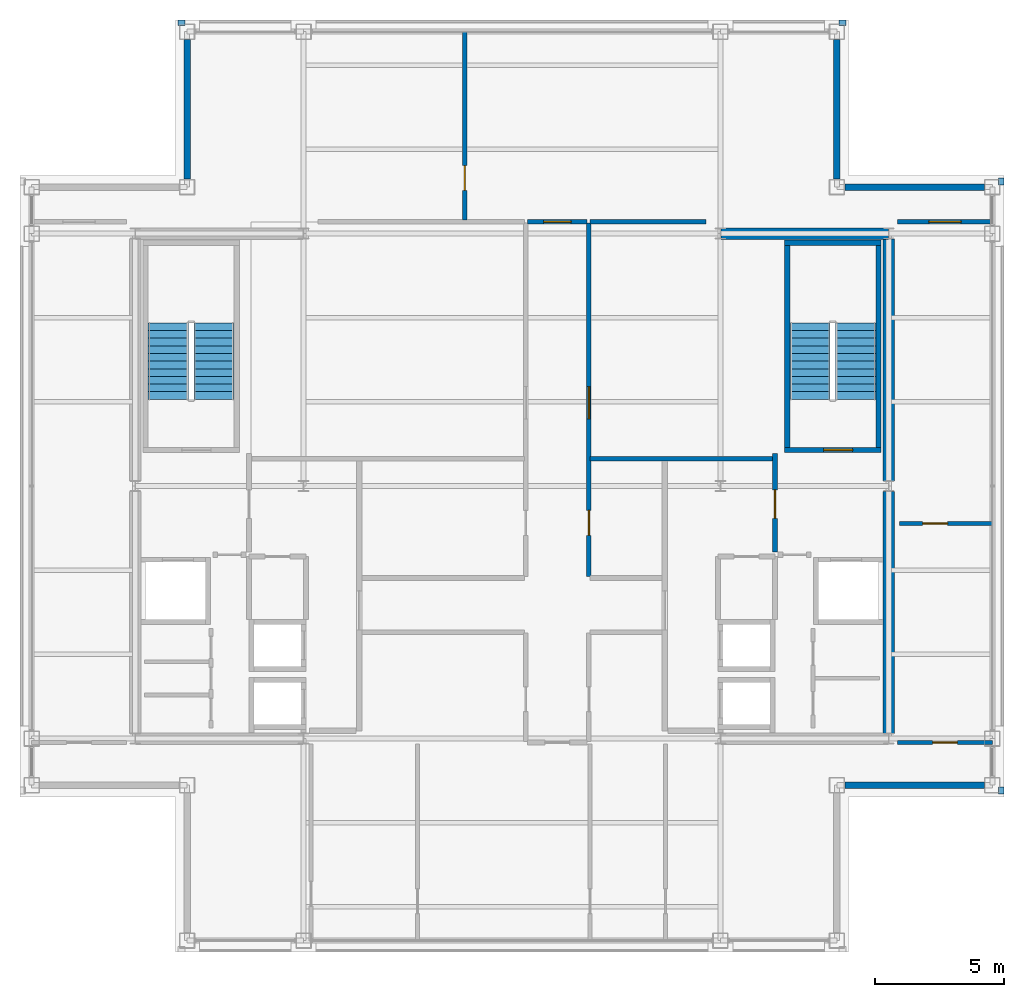
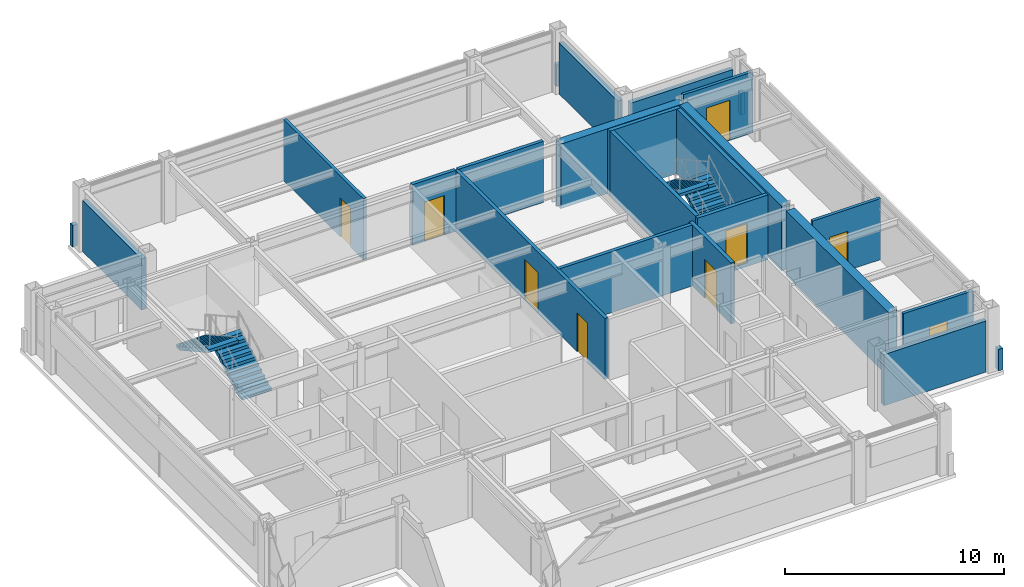
# One storey, part 19 of 20: 24 walls, 9 doors, 4 stair flights, 9 openings, 2 elements without a shape of their own.
"""IFC4 building model written with IfcOpenShell, lengths in metres."""

from ifc_helpers import new_model, si_unit, direction, frame, frame_2d, origin, place, context, subcontext, project, spatial, polyline, rectangle, outline, extrude, material, layer, layer_set, type_object, element, fill, aggregate, save


model = new_model("IFC4")

# Units and contexts
model_context = context("Model", 3, precision=1e-05, world=origin(), true_north=direction((0.0, 1.0)))
body_context = subcontext(model_context, "Body", "Model", "MODEL_VIEW")
ifc_project = project(units=[si_unit("LENGTHUNIT", "METRE"), si_unit("AREAUNIT", "SQUARE_METRE"), si_unit("VOLUMEUNIT", "CUBIC_METRE"), si_unit("PLANEANGLEUNIT", "RADIAN"), si_unit("MASSUNIT", "GRAM", prefix="KILO")], contexts=[model_context])

# Site, building, storey
site_placement = place(None, origin())
site = spatial("IfcSite", under=ifc_project, at=site_placement, CompositionType="ELEMENT")
building_placement = place(site_placement, origin())
building = spatial("IfcBuilding", under=site, at=building_placement, Name="Brelmoor Portico Tower", CompositionType="ELEMENT")
storey_placement = place(building_placement, frame((0.0, 0.0, 272.39990234375)))
storey = spatial("IfcBuildingStorey", under=building, at=storey_placement, Name="L72", CompositionType="ELEMENT", Elevation=272.39990234375)

# Walls
ifc_material_1 = material(Name="Concrete C50", Category="concrete")
ifc_layer_1 = layer(ifc_material_1, 0.449951171875)
ifc_layer_set_1 = layer_set([ifc_layer_1], Name="Concrete C50")
wall_type_1 = type_object("IfcWallType", Name="WL-CORE-450", PredefinedType="SHEAR", material=ifc_layer_set_1)
wall_1_placement = place(storey_placement, frame((8.070068359375, 9.75, -0.199951171875), z_axis=(0.0, 0.0, 1.0), x_axis=(1.0, 0.0, 0.0)))
element("IfcWall", 1, at=wall_1_placement, inside=storey, type_object=wall_type_1, Name="L72 EC North Shear Wall", PredefinedType="SHEAR", context=body_context, shape_type="SweptSolid", body=[
    extrude(rectangle(XDim=6.4599609375, YDim=0.449951171875, at=frame_2d((3.22998046875, 0.0))), origin(), (0.0, 0.0, 1.0), 3.60009765625),
])
for number, where, z_axis, x_axis, name in (
    (2, (14.550048828125, -9.550048828125, -0.199951171875), (0.0, 0.0, 1.0), (0.0, 1.0, 0.0), "L72 EC Outer South Shear Wall"),
    (3, (14.550048828125, 0.199951171875, -0.199951171875), (0.0, 0.0, 1.0), (0.0, 1.0, 0.0), "L72 EC Outer North Shear Wall"),
):
    element("IfcWall", number, at=place(storey_placement, frame(where, z_axis=z_axis, x_axis=x_axis)), inside=storey, type_object=wall_type_1, Name=name, PredefinedType="SHEAR", context=body_context, shape_type="SweptSolid", body=[
        extrude(rectangle(XDim=9.35009765625, YDim=0.449951171875, at=frame_2d((4.675048828125, 0.0))), origin(), (0.0, 0.0, 1.0), 3.60009765625),
    ])
ifc_material_2 = material(Name="Precast Concrete C40 Insulated Facade Wall", Category="concrete")
ifc_layer_2 = layer(ifc_material_2, 0.25)
ifc_layer_set_2 = layer_set([ifc_layer_2], Name="Precast Concrete C40 Insulated Facade Wall")
wall_type_2 = type_object("IfcWallType", Name="WL-EXT-250", PredefinedType="STANDARD", material=ifc_layer_set_2)
for number, where, z_axis, x_axis, name in (
    (4, (12.860107421875, -11.550048828125, 0.0), (0.0, 0.0, 1.0), (1.0, 0.0, 0.0), "L72 Corner Notch Facade Wall NSEH1"),
    (5, (-12.550048828125, 11.860107421875, 0.0), (0.0, 0.0, 1.0), (0.0, 1.0, 0.0), "L72 Corner Notch Facade Wall NNWV1"),
    (6, (12.860107421875, 11.550048828125, 0.0), (0.0, 0.0, 1.0), (1.0, 0.0, 0.0), "L72 Corner Notch Facade Wall NNEH1"),
    (7, (12.550048828125, 11.860107421875, 0.0), (0.0, 0.0, 1.0), (0.0, 1.0, 0.0), "L72 Corner Notch Facade Wall NNEV1"),
):
    element("IfcWall", number, at=place(storey_placement, frame(where, z_axis=z_axis, x_axis=x_axis)), inside=storey, type_object=wall_type_2, Name=name, PredefinedType="STANDARD", context=body_context, shape_type="SweptSolid", body=[
        extrude(rectangle(XDim=5.3798828125, YDim=0.25, at=frame_2d((2.68994140625, 0.0))), origin(), (0.0, 0.0, 1.0), 2.85009765625),
    ])
ifc_material_3 = material(Name="Concrete C40 Parapet Upstand", Category="concrete")
ifc_layer_3 = layer(ifc_material_3, 0.219970703125)
ifc_layer_set_3 = layer_set([ifc_layer_3], Name="Concrete C40 Parapet Upstand")
wall_type_3 = type_object("IfcWallType", Name="WL-PARAPET-220", PredefinedType="PARAPET", material=ifc_layer_set_3)
for number, where, z_axis, x_axis, name in (
    (8, (18.889892578125, -11.889892578125, 0.0), (0.0, 0.0, 1.0), (0.0, 1.0, 0.0), "L72 Chamfer Vertex Parapet Pier SE2"),
    (9, (-12.889892578125, 17.889892578125, 0.0), (0.0, 0.0, 1.0), (1.0, 0.0, 0.0), "L72 Chamfer Vertex Parapet Pier NW1"),
    (10, (12.6201171875, 17.889892578125, 0.0), (0.0, 0.0, 1.0), (1.0, 0.0, 0.0), "L72 Chamfer Vertex Parapet Pier NE1"),
    (11, (18.889892578125, 11.6201171875, 0.0), (0.0, 0.0, 1.0), (0.0, 1.0, 0.0), "L72 Chamfer Vertex Parapet Pier NE2"),
):
    element("IfcWall", number, at=place(storey_placement, frame(where, z_axis=z_axis, x_axis=x_axis)), inside=storey, type_object=wall_type_3, Name=name, PredefinedType="PARAPET", context=body_context, shape_type="SweptSolid", body=[
        extrude(rectangle(XDim=0.269775390625, YDim=0.219970703125, at=frame_2d((0.134765625, 0.0))), origin(), (0.0, 0.0, 1.0), 1.2001953125),
    ])

# Wall, opening, door
ifc_material_4 = material(Name="Twin-Frame Acoustic Partition", Category="gypsum")
ifc_layer_4 = layer(ifc_material_4, 0.159912109375)
ifc_layer_set_4 = layer_set([ifc_layer_4], Name="Twin-Frame Acoustic Partition")
wall_type_4 = type_object("IfcWallType", Name="WL-PART-160", PredefinedType="PARTITIONING", material=ifc_layer_set_4)
wall_2_placement = place(storey_placement, frame((-1.82568359375, 10.27001953125, 0.0), z_axis=(0.0, 0.0, 1.0), x_axis=(0.0, 1.0, 0.0)))
wall_2 = element("IfcWall", 12, at=wall_2_placement, inside=storey, type_object=wall_type_4, Name="L72 North Suite Partition 1", PredefinedType="PARTITIONING", context=body_context, shape_type="SweptSolid", body=[
    extrude(rectangle(XDim=7.2900390625, YDim=0.159912109375, at=frame_2d((3.64501953125, 0.0))), origin(), (0.0, 0.0, 1.0), 3.400146484375),
])
opening_1_placement = place(wall_2_placement, frame((1.14990234375, 0.0, 0.0)))
opening_1 = element("IfcOpeningElement", 13, at=opening_1_placement, cuts=wall_2, Name="Opening D-IN2", PredefinedType="OPENING", context=body_context, shape_type="SweptSolid", body=[
    extrude(rectangle(XDim=0.9599609375, YDim=2.179931640625, at=frame_2d((0.47998046875, 1.08984375))), frame((0.0, 0.08984375, 0.0), z_axis=(0.0, -1.0, 0.0), x_axis=(1.0, 0.0, 0.0)), (0.0, 0.0, 1.0), 0.179931640625),
])
ifc_material_5 = material(Name="Lacquered Timber Suite Door", Category="wood")
door_type_1 = type_object("IfcDoorType", Name="DR-INT-950", OperationType="NOTDEFINED", PredefinedType="DOOR", material=ifc_material_5)
door_1_placement = place(opening_1_placement, origin())
door_1 = element("IfcDoor", 14, at=door_1_placement, inside=storey, type_object=door_type_1, Name="D-2958 L72 North Suite Connecting Door 1", OperationType="SINGLE_SWING_RIGHT", OverallHeight=2.179931640625, OverallWidth=0.9599609375, PredefinedType="DOOR", context=body_context, shape_type="SweptSolid", body=[
    extrude(rectangle(XDim=0.9599609375, YDim=2.179931640625, at=frame_2d((0.47998046875, 1.08984375))), frame((0.0, 0.02490234375, 0.0), z_axis=(0.0, -1.0, 0.0), x_axis=(1.0, 0.0, 0.0)), (0.0, 0.0, 1.0), 0.050048828125),
])
fill(opening_1, door_1)

wall_3_placement = place(storey_placement, frame((14.8798828125, 10.2099609375, 0.0), z_axis=(0.0, 0.0, 1.0), x_axis=(1.0, 0.0, 0.0)))
wall_3 = element("IfcWall", 15, at=wall_3_placement, inside=storey, type_object=wall_type_4, Name="L72 North Wing Suite Wall ER", PredefinedType="PARTITIONING", context=body_context, shape_type="SweptSolid", body=[
    extrude(rectangle(XDim=3.68017578125, YDim=0.159912109375, at=frame_2d((1.840087890625, 0.0))), origin(), (0.0, 0.0, 1.0), 3.400146484375),
])
opening_2_placement = place(wall_3_placement, frame((1.219970703125, 0.0, 0.0)))
opening_2 = element("IfcOpeningElement", 16, at=opening_2_placement, cuts=wall_3, Name="Opening D-SU1", PredefinedType="OPENING", context=body_context, shape_type="SweptSolid", body=[
    extrude(rectangle(XDim=1.239990234375, YDim=2.239990234375, at=frame_2d((0.6201171875, 1.1201171875))), frame((0.0, 0.08984375, 0.0), z_axis=(0.0, -1.0, 0.0), x_axis=(1.0, 0.0, 0.0)), (0.0, 0.0, 1.0), 0.179931640625),
])
ifc_material_6 = material(Name="Glazed Timber Executive Suite Door", Category="wood")
door_type_2 = type_object("IfcDoorType", Name="DR-SUITE-1200", OperationType="NOTDEFINED", PredefinedType="DOOR", material=ifc_material_6)
door_2_placement = place(opening_2_placement, origin())
door_2 = element("IfcDoor", 17, at=door_2_placement, inside=storey, type_object=door_type_2, Name="D-2959 L72 ER Wing Suite Connecting Door", OperationType="SINGLE_SWING_LEFT", OverallHeight=2.239990234375, OverallWidth=1.239990234375, PredefinedType="DOOR", context=body_context, shape_type="SweptSolid", body=[
    extrude(rectangle(XDim=1.239990234375, YDim=2.239990234375, at=frame_2d((0.6201171875, 1.1201171875))), frame((0.0, 0.02490234375, 0.0), z_axis=(0.0, -1.0, 0.0), x_axis=(1.0, 0.0, 0.0)), (0.0, 0.0, 1.0), 0.050048828125),
])
fill(opening_2, door_2)

wall_4_placement = place(storey_placement, frame((14.8798828125, -9.89990234375, 0.0), z_axis=(0.0, 0.0, 1.0), x_axis=(1.0, 0.0, 0.0)))
wall_4 = element("IfcWall", 18, at=wall_4_placement, inside=storey, type_object=wall_type_4, Name="L72 South Wing Closure ER", PredefinedType="PARTITIONING", context=body_context, shape_type="SweptSolid", body=[
    extrude(rectangle(XDim=3.68017578125, YDim=0.159912109375, at=frame_2d((1.840087890625, 0.0))), origin(), (0.0, 0.0, 1.0), 3.400146484375),
])
opening_3_placement = place(wall_4_placement, frame((1.360107421875, 0.0, 0.0)))
opening_3 = element("IfcOpeningElement", 19, at=opening_3_placement, cuts=wall_4, Name="Opening D-IN2", PredefinedType="OPENING", context=body_context, shape_type="SweptSolid", body=[
    extrude(rectangle(XDim=0.9599609375, YDim=2.179931640625, at=frame_2d((0.47998046875, 1.08984375))), frame((0.0, 0.08984375, 0.0), z_axis=(0.0, -1.0, 0.0), x_axis=(1.0, 0.0, 0.0)), (0.0, 0.0, 1.0), 0.179931640625),
])
door_3_placement = place(opening_3_placement, origin())
door_3 = element("IfcDoor", 20, at=door_3_placement, inside=storey, type_object=door_type_1, Name="D-2968 L72 ER Wing South Suite Door", OperationType="SINGLE_SWING_RIGHT", OverallHeight=2.179931640625, OverallWidth=0.9599609375, PredefinedType="DOOR", context=body_context, shape_type="SweptSolid", body=[
    extrude(rectangle(XDim=0.9599609375, YDim=2.179931640625, at=frame_2d((0.47998046875, 1.08984375))), frame((0.0, 0.02490234375, 0.0), z_axis=(0.0, -1.0, 0.0), x_axis=(1.0, 0.0, 0.0)), (0.0, 0.0, 1.0), 0.050048828125),
])
fill(opening_3, door_3)

wall_5_placement = place(storey_placement, frame((14.9599609375, -1.44091796875, 0.0), z_axis=(0.0, 0.0, 1.0), x_axis=(1.0, 0.0, 0.0)))
wall_5 = element("IfcWall", 21, at=wall_5_placement, inside=storey, type_object=wall_type_4, Name="L72 E Wing Partition 1", PredefinedType="PARTITIONING", context=body_context, shape_type="SweptSolid", body=[
    extrude(rectangle(XDim=3.60009765625, YDim=0.159912109375, at=frame_2d((1.800048828125, 0.0))), origin(), (0.0, 0.0, 1.0), 3.400146484375),
])
opening_4_placement = place(wall_5_placement, frame((0.89990234375, 0.0, 0.0)))
opening_4 = element("IfcOpeningElement", 22, at=opening_4_placement, cuts=wall_5, Name="Opening D-IN2", PredefinedType="OPENING", context=body_context, shape_type="SweptSolid", body=[
    extrude(rectangle(XDim=0.9599609375, YDim=2.179931640625, at=frame_2d((0.47998046875, 1.08984375))), frame((0.0, 0.08984375, 0.0), z_axis=(0.0, -1.0, 0.0), x_axis=(1.0, 0.0, 0.0)), (0.0, 0.0, 1.0), 0.179931640625),
])
door_4_placement = place(opening_4_placement, origin())
door_4 = element("IfcDoor", 23, at=door_4_placement, inside=storey, type_object=door_type_1, Name="D-2970 L72 E Wing Suite Connecting Door 1", OperationType="SINGLE_SWING_LEFT", OverallHeight=2.179931640625, OverallWidth=0.9599609375, PredefinedType="DOOR", context=body_context, shape_type="SweptSolid", body=[
    extrude(rectangle(XDim=0.9599609375, YDim=2.179931640625, at=frame_2d((0.47998046875, 1.08984375))), frame((0.0, 0.02490234375, 0.0), z_axis=(0.0, -1.0, 0.0), x_axis=(1.0, 0.0, 0.0)), (0.0, 0.0, 1.0), 0.050048828125),
])
fill(opening_4, door_4)

# Wall
ifc_material_7 = material(Name="Acoustic Corridor Fire Partition", Category="gypsum")
ifc_layer_5 = layer(ifc_material_7, 0.179931640625)
ifc_layer_set_5 = layer_set([ifc_layer_5], Name="Acoustic Corridor Fire Partition")
wall_type_5 = type_object("IfcWallType", Name="WL-PART-180", PredefinedType="PARTITIONING", material=ifc_layer_set_5)
wall_6_placement = place(storey_placement, frame((3.010009765625, 1.050048828125, 0.0), z_axis=(0.0, 0.0, 1.0), x_axis=(1.0, 0.0, 0.0)))
element("IfcWall", 24, at=wall_6_placement, inside=storey, type_object=wall_type_5, Name="L72 East Suite South Wall", PredefinedType="PARTITIONING", context=body_context, shape_type="SweptSolid", body=[
    extrude(rectangle(XDim=7.050048828125, YDim=0.179931640625, at=frame_2d((3.52490234375, 0.0))), origin(), (0.0, 0.0, 1.0), 3.400146484375),
])

# Wall, openings, doors
wall_7_placement = place(storey_placement, frame((2.969970703125, -3.5, 0.0), z_axis=(0.0, 0.0, 1.0), x_axis=(0.0, 1.0, 0.0)))
wall_7 = element("IfcWall", 25, at=wall_7_placement, inside=storey, type_object=wall_type_5, Name="L72 Central Cross East Wall", PredefinedType="PARTITIONING", context=body_context, shape_type="SweptSolid", body=[
    extrude(rectangle(XDim=13.669921875, YDim=0.179931640625, at=frame_2d((6.8349609375, 0.0))), origin(), (0.0, 0.0, 1.0), 3.400146484375),
])
opening_5_placement = place(wall_7_placement, frame((6.10009765625, 0.0, 0.0)))
opening_5 = element("IfcOpeningElement", 26, at=opening_5_placement, cuts=wall_7, Name="Opening D-SU1", PredefinedType="OPENING", context=body_context, shape_type="SweptSolid", body=[
    extrude(rectangle(XDim=1.239990234375, YDim=2.239990234375, at=frame_2d((0.6201171875, 1.1201171875))), frame((0.0, 0.099853515625, 0.0), z_axis=(0.0, -1.0, 0.0), x_axis=(1.0, 0.0, 0.0)), (0.0, 0.0, 1.0), 0.199951171875),
])
opening_6_placement = place(wall_7_placement, frame((1.60009765625, 0.0, 0.0)))
opening_6 = element("IfcOpeningElement", 27, at=opening_6_placement, cuts=wall_7, Name="Opening D-IN2", PredefinedType="OPENING", context=body_context, shape_type="SweptSolid", body=[
    extrude(rectangle(XDim=0.9599609375, YDim=2.179931640625, at=frame_2d((0.47998046875, 1.08984375))), frame((0.0, 0.099853515625, 0.0), z_axis=(0.0, -1.0, 0.0), x_axis=(1.0, 0.0, 0.0)), (0.0, 0.0, 1.0), 0.199951171875),
])
door_5_placement = place(opening_6_placement, origin())
door_5 = element("IfcDoor", 28, at=door_5_placement, inside=storey, type_object=door_type_1, Name="D-2938 L72 Client Project Office Door", OperationType="SINGLE_SWING_LEFT", OverallHeight=2.179931640625, OverallWidth=0.9599609375, PredefinedType="DOOR", context=body_context, shape_type="SweptSolid", body=[
    extrude(rectangle(XDim=0.9599609375, YDim=2.179931640625, at=frame_2d((0.47998046875, 1.08984375))), frame((0.0, 0.02490234375, 0.0), z_axis=(0.0, -1.0, 0.0), x_axis=(1.0, 0.0, 0.0)), (0.0, 0.0, 1.0), 0.050048828125),
])
fill(opening_6, door_5)
door_6_placement = place(opening_5_placement, origin())
door_6 = element("IfcDoor", 29, at=door_6_placement, inside=storey, type_object=door_type_2, Name="D-2939 L72 East Reclaimed Studio Door", OperationType="SINGLE_SWING_RIGHT", OverallHeight=2.239990234375, OverallWidth=1.239990234375, PredefinedType="DOOR", context=body_context, shape_type="SweptSolid", body=[
    extrude(rectangle(XDim=1.239990234375, YDim=2.239990234375, at=frame_2d((0.6201171875, 1.1201171875))), frame((0.0, 0.02490234375, 0.0), z_axis=(0.0, -1.0, 0.0), x_axis=(1.0, 0.0, 0.0)), (0.0, 0.0, 1.0), 0.050048828125),
])
fill(opening_5, door_6)

# Wall
wall_8_placement = place(storey_placement, frame((3.010009765625, 10.2099609375, 0.0), z_axis=(0.0, 0.0, 1.0), x_axis=(1.0, 0.0, 0.0)))
element("IfcWall", 30, at=wall_8_placement, inside=storey, type_object=wall_type_5, Name="L72 East Suite North Wall", PredefinedType="PARTITIONING", context=body_context, shape_type="SweptSolid", body=[
    extrude(rectangle(XDim=4.489990234375, YDim=0.179931640625, at=frame_2d((2.2451171875, 0.0))), origin(), (0.0, 0.0, 1.0), 3.400146484375),
])

# Wall, opening, door
wall_9_placement = place(storey_placement, frame((0.60009765625, 10.2099609375, 0.0), z_axis=(0.0, 0.0, 1.0), x_axis=(1.0, 0.0, 0.0)))
wall_9 = element("IfcWall", 31, at=wall_9_placement, inside=storey, type_object=wall_type_5, Name="L72 North Corridor Partition", PredefinedType="PARTITIONING", context=body_context, shape_type="SweptSolid", body=[
    extrude(rectangle(XDim=2.2998046875, YDim=0.179931640625, at=frame_2d((1.14990234375, 0.0))), origin(), (0.0, 0.0, 1.0), 3.400146484375),
])
opening_7_placement = place(wall_9_placement, frame((0.6201171875, 0.0, 0.0)))
opening_7 = element("IfcOpeningElement", 32, at=opening_7_placement, cuts=wall_9, Name="Opening D-OF2", PredefinedType="OPENING", context=body_context, shape_type="SweptSolid", body=[
    extrude(rectangle(XDim=1.06005859375, YDim=2.199951171875, at=frame_2d((0.530029296875, 1.10009765625))), frame((0.0, 0.099853515625, 0.0), z_axis=(0.0, -1.0, 0.0), x_axis=(1.0, 0.0, 0.0)), (0.0, 0.0, 1.0), 0.199951171875),
])
ifc_material_8 = material(Name="Hardwood Acoustic Veneer Door", Category="wood")
door_type_3 = type_object("IfcDoorType", Name="DR-OFFICE-1050", OperationType="NOTDEFINED", PredefinedType="DOOR", material=ifc_material_8)
door_7_placement = place(opening_7_placement, origin())
door_7 = element("IfcDoor", 33, at=door_7_placement, inside=storey, type_object=door_type_3, Name="D-2957 L72 North Wellness Counseling Room 2 Door", OperationType="SINGLE_SWING_LEFT", OverallHeight=2.199951171875, OverallWidth=1.06005859375, PredefinedType="DOOR", context=body_context, shape_type="SweptSolid", body=[
    extrude(rectangle(XDim=1.06005859375, YDim=2.199951171875, at=frame_2d((0.530029296875, 1.10009765625))), frame((0.0, 0.02490234375, 0.0), z_axis=(0.0, -1.0, 0.0), x_axis=(1.0, 0.0, 0.0)), (0.0, 0.0, 1.0), 0.050048828125),
])
fill(opening_7, door_7)

ifc_material_9 = material(Name="Double-Stud Gypsum Fire Partition", Category="gypsum")
ifc_layer_6 = layer(ifc_material_9, 0.199951171875)
ifc_layer_set_6 = layer_set([ifc_layer_6], Name="Double-Stud Gypsum Fire Partition")
wall_type_6 = type_object("IfcWallType", Name="WL-PART-200", PredefinedType="PARTITIONING", material=ifc_layer_set_6)
wall_10_placement = place(storey_placement, frame((10.159912109375, -2.550048828125, 0.0), z_axis=(0.0, 0.0, 1.0), x_axis=(0.0, 1.0, 0.0)))
wall_10 = element("IfcWall", 34, at=wall_10_placement, inside=storey, type_object=wall_type_6, Name="L72 E Firefighting Lobby Wall", PredefinedType="PARTITIONING", context=body_context, shape_type="SweptSolid", body=[
    extrude(rectangle(XDim=3.800048828125, YDim=0.199951171875, at=frame_2d((1.89990234375, 0.0))), origin(), (0.0, 0.0, 1.0), 3.400146484375),
])
opening_8_placement = place(wall_10_placement, frame((1.300048828125, 0.0, 0.0)))
opening_8 = element("IfcOpeningElement", 35, at=opening_8_placement, cuts=wall_10, Name="Opening D-FR1", PredefinedType="OPENING", context=body_context, shape_type="SweptSolid", body=[
    extrude(rectangle(XDim=1.10009765625, YDim=2.14990234375, at=frame_2d((0.550048828125, 1.074951171875))), frame((0.0, 0.10986328125, 0.0), z_axis=(0.0, -1.0, 0.0), x_axis=(1.0, 0.0, 0.0)), (0.0, 0.0, 1.0), 0.219970703125),
])
ifc_material_10 = material(Name="Painted Galvanised Steel Fire Door", Category="steel")
door_type_4 = type_object("IfcDoorType", Name="DR-FIRE-1100", OperationType="NOTDEFINED", PredefinedType="DOOR", material=ifc_material_10)
door_8_placement = place(opening_8_placement, origin())
door_8 = element("IfcDoor", 36, at=door_8_placement, inside=storey, type_object=door_type_4, Name="D-2953 L72 E Firefighting Lobby Door", OperationType="SINGLE_SWING_LEFT", OverallHeight=2.14990234375, OverallWidth=1.10009765625, PredefinedType="DOOR", context=body_context, shape_type="SweptSolid", body=[
    extrude(rectangle(XDim=1.10009765625, YDim=2.14990234375, at=frame_2d((0.550048828125, 1.074951171875))), frame((0.0, 0.02490234375, 0.0), z_axis=(0.0, -1.0, 0.0), x_axis=(1.0, 0.0, 0.0)), (0.0, 0.0, 1.0), 0.050048828125),
])
fill(opening_8, door_8)

# Wall
ifc_material_11 = material(Name="Concrete C40", Category="concrete")
ifc_layer_7 = layer(ifc_material_11, 0.199951171875)
ifc_layer_set_7 = layer_set([ifc_layer_7], Name="Concrete C40")
wall_type_7 = type_object("IfcWallType", Name="WL-SHAFT-RC200", PredefinedType="SOLIDWALL", material=ifc_layer_set_7)
wall_11_placement = place(storey_placement, frame((14.14990234375, 1.5, -0.199951171875), z_axis=(0.0, 0.0, 1.0), x_axis=(0.0, 1.0, 0.0)))
element("IfcWall", 37, at=wall_11_placement, inside=storey, type_object=wall_type_7, Name="L72 ST-E Structural Stair Wall Outer", PredefinedType="SOLIDWALL", context=body_context, shape_type="SweptSolid", body=[
    extrude(rectangle(XDim=7.800048828125, YDim=0.199951171875, at=frame_2d((3.89990234375, 0.0))), origin(), (0.0, 0.0, 1.0), 3.60009765625),
])

# Wall, opening, door
wall_12_placement = place(storey_placement, frame((10.530029296875, 1.39990234375, -0.199951171875), z_axis=(0.0, 0.0, 1.0), x_axis=(1.0, 0.0, 0.0)))
wall_12 = element("IfcWall", 38, at=wall_12_placement, inside=storey, type_object=wall_type_7, Name="L72 ST-E Structural Stair Wall S", PredefinedType="SOLIDWALL", context=body_context, shape_type="SweptSolid", body=[
    extrude(rectangle(XDim=3.719970703125, YDim=0.199951171875, at=frame_2d((1.85986328125, 0.0))), origin(), (0.0, 0.0, 1.0), 3.60009765625),
])
opening_9_placement = place(wall_12_placement, frame((1.5, 0.0, 0.199951171875)))
opening_9 = element("IfcOpeningElement", 39, at=opening_9_placement, cuts=wall_12, Name="Opening D-ST1", PredefinedType="OPENING", context=body_context, shape_type="SweptSolid", body=[
    extrude(rectangle(XDim=1.1201171875, YDim=2.179931640625, at=frame_2d((0.56005859375, 1.08984375))), frame((0.0, 0.10986328125, 0.0), z_axis=(0.0, -1.0, 0.0), x_axis=(1.0, 0.0, 0.0)), (0.0, 0.0, 1.0), 0.219970703125),
])
door_type_5 = type_object("IfcDoorType", Name="DR-STAIR-1100", OperationType="NOTDEFINED", PredefinedType="DOOR", material=ifc_material_10)
door_9_placement = place(opening_9_placement, origin())
door_9 = element("IfcDoor", 40, at=door_9_placement, inside=storey, type_object=door_type_5, Name="D-2966 L72 ST-E Protected Exit Stair Door", OperationType="SINGLE_SWING_RIGHT", OverallHeight=2.179931640625, OverallWidth=1.1201171875, PredefinedType="DOOR", context=body_context, shape_type="SweptSolid", body=[
    extrude(rectangle(XDim=1.1201171875, YDim=2.179931640625, at=frame_2d((0.56005859375, 1.08984375))), frame((0.0, 0.02490234375, 0.0), z_axis=(0.0, -1.0, 0.0), x_axis=(1.0, 0.0, 0.0)), (0.0, 0.0, 1.0), 0.050048828125),
])
fill(opening_9, door_9)

# Walls
wall_13_placement = place(storey_placement, frame((10.530029296875, 9.39990234375, -0.199951171875), z_axis=(0.0, 0.0, 1.0), x_axis=(1.0, 0.0, 0.0)))
element("IfcWall", 41, at=wall_13_placement, inside=storey, type_object=wall_type_7, Name="L72 ST-E Structural Stair Wall N", PredefinedType="SOLIDWALL", context=body_context, shape_type="SweptSolid", body=[
    extrude(rectangle(XDim=3.719970703125, YDim=0.199951171875, at=frame_2d((1.85986328125, 0.0))), origin(), (0.0, 0.0, 1.0), 3.60009765625),
])
wall_14_placement = place(storey_placement, frame((10.6298828125, 1.5, -0.199951171875), z_axis=(0.0, 0.0, 1.0), x_axis=(0.0, 1.0, 0.0)))
element("IfcWall", 42, at=wall_14_placement, inside=storey, type_object=wall_type_7, Name="L72 ST-E Structural Stair Wall Inner", PredefinedType="SOLIDWALL", context=body_context, shape_type="SweptSolid", body=[
    extrude(rectangle(XDim=7.800048828125, YDim=0.199951171875, at=frame_2d((3.89990234375, 0.0))), origin(), (0.0, 0.0, 1.0), 3.60009765625),
])

# Stair, stair flights
stair_type_1 = type_object("IfcStairType", Name="ST-CORE-W", PredefinedType="HALF_TURN_STAIR", material=ifc_material_11)
stair_1_placement = place(storey_placement, origin())
stair_1 = element("IfcStair", 43, at=stair_1_placement, inside=storey, type_object=stair_type_1, Name="L72 Protected Core Exit Stair ST-W", PredefinedType="HALF_TURN_STAIR")
stair_flight_type = type_object("IfcStairFlightType", Name="SF-CORE-1850", PredefinedType="STRAIGHT", material=ifc_material_11)
stair_flight_1_placement = place(storey_placement, frame((-11.510009765625, 3.35009765625, 0.0), z_axis=(0.0, 0.0, 1.0), x_axis=(0.0, 1.0, 0.0)))
stair_flight_1 = element("IfcStairFlight", 44, at=stair_flight_1_placement, type_object=stair_flight_type, Name="ST-W flight 1", NumberOfRisers=11, NumberOfTreads=10, PredefinedType="STRAIGHT", RiserHeight=0.163636364, TreadLength=0.295, context=body_context, shape_type="SweptSolid", body=[
    extrude(outline(polyline([(0.0, 0.0), (0.0, 0.16357421875), (0.294921875, 0.16357421875), (0.294921875, 0.327392578125), (0.590087890625, 0.327392578125), (0.590087890625, 0.490966796875), (0.885009765625, 0.490966796875), (0.885009765625, 0.654541015625), (1.179931640625, 0.654541015625), (1.179931640625, 0.818115234375), (1.47509765625, 0.818115234375), (1.47509765625, 0.98193359375), (1.77001953125, 0.98193359375), (1.77001953125, 1.1455078125), (2.06494140625, 1.1455078125), (2.06494140625, 1.30908203125), (2.360107421875, 1.30908203125), (2.360107421875, 1.47265625), (2.655029296875, 1.47265625), (2.655029296875, 1.636474609375), (2.949951171875, 1.636474609375), (2.949951171875, 1.800048828125), (2.949951171875, 1.46484375), (0.30908203125, 0.0), (0.0, 0.0)])), frame((0.0, 0.780029296875, 0.0), z_axis=(0.0, -1.0, 0.0), x_axis=(1.0, 0.0, 0.0)), (0.0, 0.0, 1.0), 1.56005859375),
])
stair_flight_2_placement = place(storey_placement, frame((-13.27001953125, 6.300048828125, 1.800048828125), z_axis=(0.0, 0.0, 1.0), x_axis=(0.0, -1.0, 0.0)))
stair_flight_2 = element("IfcStairFlight", 45, at=stair_flight_2_placement, type_object=stair_flight_type, Name="ST-W flight 2", NumberOfRisers=11, NumberOfTreads=10, PredefinedType="STRAIGHT", RiserHeight=0.163636364, TreadLength=0.295, context=body_context, shape_type="SweptSolid", body=[
    extrude(outline(polyline([(0.0, 0.0), (0.0, 0.16357421875), (0.294921875, 0.16357421875), (0.294921875, 0.327392578125), (0.590087890625, 0.327392578125), (0.590087890625, 0.490966796875), (0.885009765625, 0.490966796875), (0.885009765625, 0.654541015625), (1.179931640625, 0.654541015625), (1.179931640625, 0.818115234375), (1.47509765625, 0.818115234375), (1.47509765625, 0.98193359375), (1.77001953125, 0.98193359375), (1.77001953125, 1.1455078125), (2.06494140625, 1.1455078125), (2.06494140625, 1.30908203125), (2.360107421875, 1.30908203125), (2.360107421875, 1.47265625), (2.655029296875, 1.47265625), (2.655029296875, 1.636474609375), (2.949951171875, 1.636474609375), (2.949951171875, 1.800048828125), (2.949951171875, 1.46484375), (0.30908203125, 0.0), (0.0, 0.0)])), frame((0.0, 0.780029296875, 0.0), z_axis=(0.0, -1.0, 0.0), x_axis=(1.0, 0.0, 0.0)), (0.0, 0.0, 1.0), 1.56005859375),
])
aggregate(stair_1, [stair_flight_1, stair_flight_2])

stair_type_2 = type_object("IfcStairType", Name="ST-CORE-E", PredefinedType="HALF_TURN_STAIR", material=ifc_material_11)
stair_2_placement = place(storey_placement, origin())
stair_2 = element("IfcStair", 46, at=stair_2_placement, inside=storey, type_object=stair_type_2, Name="L72 Protected Core Exit Stair ST-E", PredefinedType="HALF_TURN_STAIR")
stair_flight_3_placement = place(storey_placement, frame((13.27001953125, 3.35009765625, 0.0), z_axis=(0.0, 0.0, 1.0), x_axis=(0.0, 1.0, 0.0)))
stair_flight_3 = element("IfcStairFlight", 47, at=stair_flight_3_placement, type_object=stair_flight_type, Name="ST-E flight 1", NumberOfRisers=11, NumberOfTreads=10, PredefinedType="STRAIGHT", RiserHeight=0.163636364, TreadLength=0.295, context=body_context, shape_type="SweptSolid", body=[
    extrude(outline(polyline([(0.0, 0.0), (0.0, 0.16357421875), (0.294921875, 0.16357421875), (0.294921875, 0.327392578125), (0.590087890625, 0.327392578125), (0.590087890625, 0.490966796875), (0.885009765625, 0.490966796875), (0.885009765625, 0.654541015625), (1.179931640625, 0.654541015625), (1.179931640625, 0.818115234375), (1.47509765625, 0.818115234375), (1.47509765625, 0.98193359375), (1.77001953125, 0.98193359375), (1.77001953125, 1.1455078125), (2.06494140625, 1.1455078125), (2.06494140625, 1.30908203125), (2.360107421875, 1.30908203125), (2.360107421875, 1.47265625), (2.655029296875, 1.47265625), (2.655029296875, 1.636474609375), (2.949951171875, 1.636474609375), (2.949951171875, 1.800048828125), (2.949951171875, 1.46484375), (0.30908203125, 0.0), (0.0, 0.0)])), frame((0.0, 0.780029296875, 0.0), z_axis=(0.0, -1.0, 0.0), x_axis=(1.0, 0.0, 0.0)), (0.0, 0.0, 1.0), 1.56005859375),
])
stair_flight_4_placement = place(storey_placement, frame((11.510009765625, 6.300048828125, 1.800048828125), z_axis=(0.0, 0.0, 1.0), x_axis=(0.0, -1.0, 0.0)))
stair_flight_4 = element("IfcStairFlight", 48, at=stair_flight_4_placement, type_object=stair_flight_type, Name="ST-E flight 2", NumberOfRisers=11, NumberOfTreads=10, PredefinedType="STRAIGHT", RiserHeight=0.163636364, TreadLength=0.295, context=body_context, shape_type="SweptSolid", body=[
    extrude(outline(polyline([(0.0, 0.0), (0.0, 0.16357421875), (0.294921875, 0.16357421875), (0.294921875, 0.327392578125), (0.590087890625, 0.327392578125), (0.590087890625, 0.490966796875), (0.885009765625, 0.490966796875), (0.885009765625, 0.654541015625), (1.179931640625, 0.654541015625), (1.179931640625, 0.818115234375), (1.47509765625, 0.818115234375), (1.47509765625, 0.98193359375), (1.77001953125, 0.98193359375), (1.77001953125, 1.1455078125), (2.06494140625, 1.1455078125), (2.06494140625, 1.30908203125), (2.360107421875, 1.30908203125), (2.360107421875, 1.47265625), (2.655029296875, 1.47265625), (2.655029296875, 1.636474609375), (2.949951171875, 1.636474609375), (2.949951171875, 1.800048828125), (2.949951171875, 1.46484375), (0.30908203125, 0.0), (0.0, 0.0)])), frame((0.0, 0.780029296875, 0.0), z_axis=(0.0, -1.0, 0.0), x_axis=(1.0, 0.0, 0.0)), (0.0, 0.0, 1.0), 1.56005859375),
])
aggregate(stair_2, [stair_flight_3, stair_flight_4])

save(model, "model.ifc")
